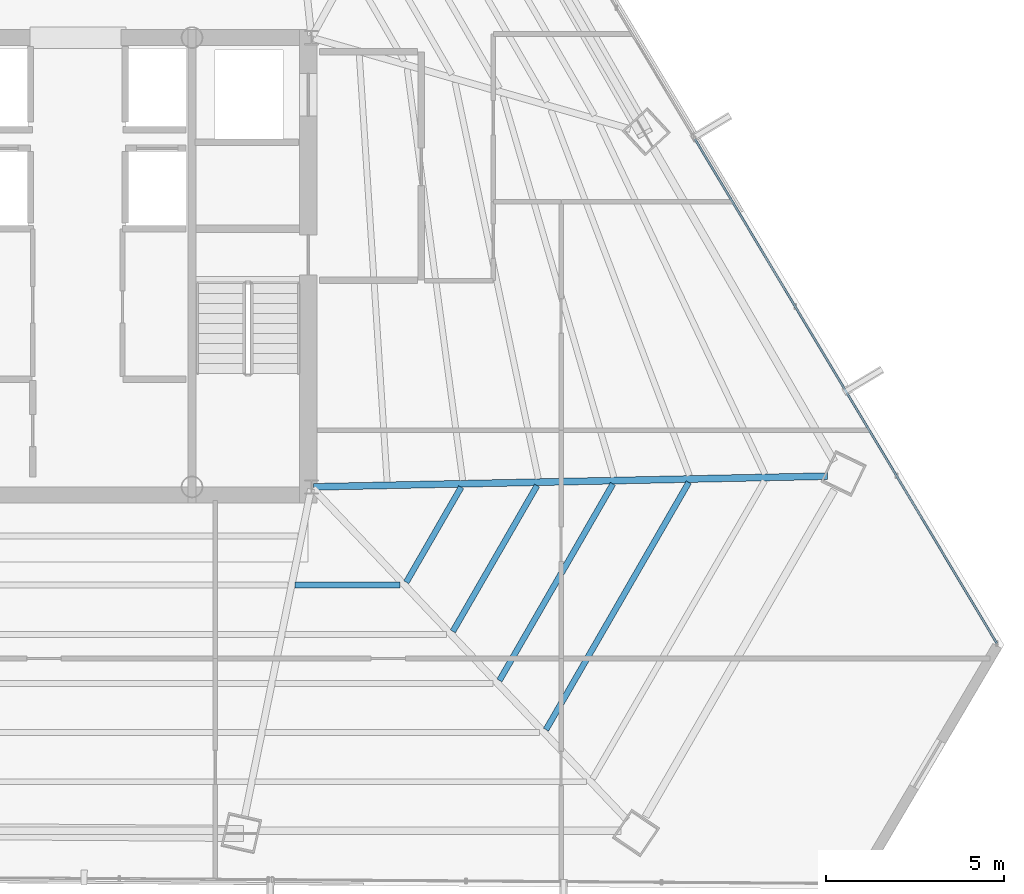
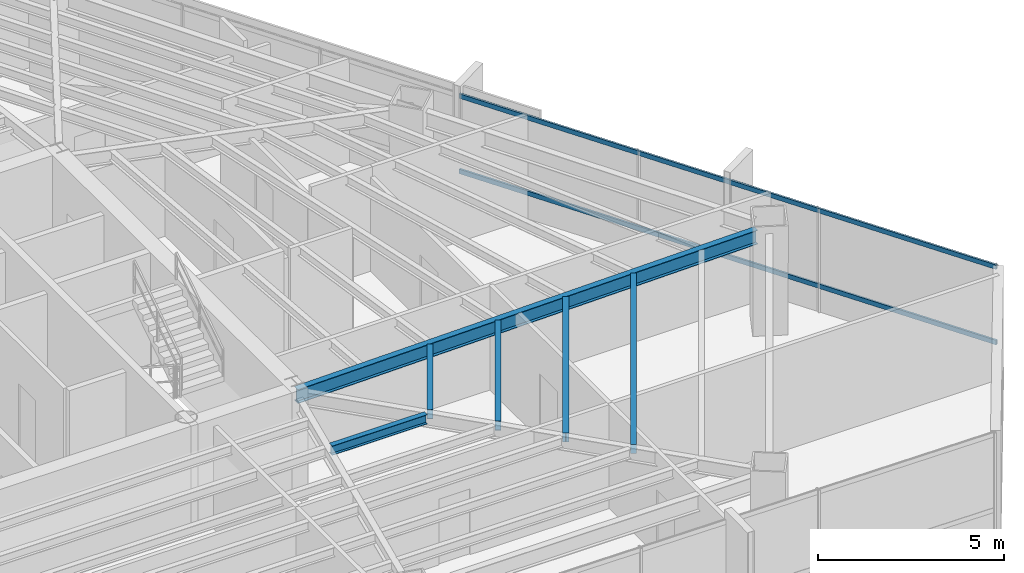
# One storey, part 20 of 41: 6 beams, 2 members, 1 element without a shape of its own.
"""IFC4 building model written with IfcOpenShell, lengths in metres."""

from ifc_helpers import new_model, si_unit, direction, frame, origin, origin_2d, place, context, subcontext, project, spatial, hollow_rectangle, i_section, extrude, source, transform, mapped, material, material_profile, profile_set, type_object, type_shapes, element, aggregate, save


model = new_model("IFC4")

# Units and contexts
model_context = context("Model", 3, precision=1e-05, world=origin(), true_north=direction((0.0, 1.0)))
body_context = subcontext(model_context, "Body", "Model", "MODEL_VIEW")
ifc_project = project(units=[si_unit("LENGTHUNIT", "METRE"), si_unit("AREAUNIT", "SQUARE_METRE"), si_unit("VOLUMEUNIT", "CUBIC_METRE"), si_unit("PLANEANGLEUNIT", "RADIAN"), si_unit("MASSUNIT", "GRAM", prefix="KILO")], contexts=[model_context])

# Site, building, storey
site_placement = place(None, origin())
site = spatial("IfcSite", under=ifc_project, at=site_placement, CompositionType="ELEMENT")
building_placement = place(site_placement, origin())
building = spatial("IfcBuilding", under=site, at=building_placement, Name="Caelisora Broadcast Tower", CompositionType="ELEMENT")
storey_placement = place(building_placement, frame((0.0, 0.0, 173.10009765625)))
storey = spatial("IfcBuildingStorey", under=building, at=storey_placement, Name="L45", CompositionType="ELEMENT", Elevation=173.10009765625)

# Beams
ifc_material_1 = material(Name="Steel Grade 350 (AS/NZS 3679.1)", Category="steel")
ifc_material_profile_1 = material_profile(ifc_material_1, i_section(OverallWidth=0.19091796875, OverallDepth=0.46044921875, WebThickness=0.010009765625, FlangeThickness=0.01611328125, at=origin_2d()), Name="Steel Grade 350 (AS/NZS 3679.1)")
ifc_profile_set_1 = profile_set([ifc_material_profile_1], Name="Steel Grade 350 (AS/NZS 3679.1)")
beam_type_1 = type_object("IfcBeamType", Name="PG06", PredefinedType="BEAM", material=ifc_profile_set_1)
shared_shape_1 = source(origin(), body_context, "Body", "SweptSolid", [
    extrude(i_section(OverallWidth=0.19091796875, OverallDepth=0.46044921875, WebThickness=0.010009765625, FlangeThickness=0.01611328125, at=origin_2d()), origin(), (0.0, 0.0, 1.0), 14.4130859375),
])
type_shapes(beam_type_1, [shared_shape_1])
beam_1_placement = place(storey_placement, frame((45.56005859375, 17.4013671875, 3.169677734375), z_axis=(0.999781871968, 0.020885604733, 0.0), x_axis=(-0.020885604733, 0.999781871968, 0.0)))
element("IfcBeam", 1, at=beam_1_placement, inside=storey, type_object=beam_type_1, Name="L45 beam PG06", PredefinedType="BEAM", context=body_context, shape_type="MappedRepresentation", body=[
    mapped(shared_shape_1, transform((0.0, 0.0, 0.0), scale=1.0)),
])
ifc_material_profile_2 = material_profile(ifc_material_1, i_section(OverallWidth=0.166015625, OverallDepth=0.30712890625, WebThickness=0.006591796875, FlangeThickness=0.01171875, at=origin_2d()), Name="Steel Grade 350 (AS/NZS 3679.1)")
ifc_profile_set_2 = profile_set([ifc_material_profile_2], Name="Steel Grade 350 (AS/NZS 3679.1)")
beam_type_2 = type_object("IfcBeamType", Name="SB03", PredefinedType="JOIST", material=ifc_profile_set_2)
shared_shape_2 = source(origin(), body_context, "Body", "SweptSolid", [
    extrude(i_section(OverallWidth=0.166015625, OverallDepth=0.30712890625, WebThickness=0.006591796875, FlangeThickness=0.01171875, at=origin_2d()), origin(), (0.0, 0.0, 1.0), 3.079833984375),
])
beam_2_placement = place(storey_placement, frame((48.159912109375, 14.727783203125, 3.246337890625), z_axis=(0.500026652407, 0.866010015463, 0.0), x_axis=(-0.866010015463, 0.500026652407, 0.0)))
element("IfcBeam", 2, at=beam_2_placement, inside=storey, type_object=beam_type_2, Name="L45 beam SB03", PredefinedType="JOIST", context=body_context, shape_type="MappedRepresentation", body=[
    mapped(shared_shape_2, transform((0.0, 0.0, 0.0), scale=1.0)),
])
shared_shape_3 = source(origin(), body_context, "Body", "SweptSolid", [
    extrude(i_section(OverallWidth=0.166015625, OverallDepth=0.30712890625, WebThickness=0.006591796875, FlangeThickness=0.01171875, at=origin_2d()), origin(), (0.0, 0.0, 1.0), 4.721923828125),
])
beam_3_placement = place(storey_placement, frame((49.4658203125, 13.349853515625, 3.246337890625), z_axis=(0.500014851123, 0.866016829315, 0.0), x_axis=(-0.866016829315, 0.500014851123, 0.0)))
element("IfcBeam", 3, at=beam_3_placement, inside=storey, type_object=beam_type_2, Name="L45 beam SB03", PredefinedType="JOIST", context=body_context, shape_type="MappedRepresentation", body=[
    mapped(shared_shape_3, transform((0.0, 0.0, 0.0), scale=1.0)),
])
shared_shape_4 = source(origin(), body_context, "Body", "SweptSolid", [
    extrude(i_section(OverallWidth=0.166015625, OverallDepth=0.30712890625, WebThickness=0.006591796875, FlangeThickness=0.01171875, at=origin_2d()), origin(), (0.0, 0.0, 1.0), 6.364990234375),
])
beam_4_placement = place(storey_placement, frame((50.771728515625, 11.9716796875, 3.246337890625), z_axis=(0.499988079127, 0.866032286194, 0.0), x_axis=(-0.866032286194, 0.499988079127, 0.0)))
element("IfcBeam", 4, at=beam_4_placement, inside=storey, type_object=beam_type_2, Name="L45 beam SB03", PredefinedType="JOIST", context=body_context, shape_type="MappedRepresentation", body=[
    mapped(shared_shape_4, transform((0.0, 0.0, 0.0), scale=1.0)),
])
shared_shape_5 = source(origin(), body_context, "Body", "SweptSolid", [
    extrude(i_section(OverallWidth=0.166015625, OverallDepth=0.30712890625, WebThickness=0.006591796875, FlangeThickness=0.01171875, at=origin_2d()), origin(), (0.0, 0.0, 1.0), 8.007080078125),
])
beam_5_placement = place(storey_placement, frame((52.07763671875, 10.593994140625, 3.246337890625), z_axis=(0.500011898161, 0.866018534269, 0.0), x_axis=(-0.866018534269, 0.500011898161, 0.0)))
element("IfcBeam", 5, at=beam_5_placement, inside=storey, type_object=beam_type_2, Name="L45 beam SB03", PredefinedType="JOIST", context=body_context, shape_type="MappedRepresentation", body=[
    mapped(shared_shape_5, transform((0.0, 0.0, 0.0), scale=1.0)),
])
shared_shape_6 = source(origin(), body_context, "Body", "SweptSolid", [
    extrude(i_section(OverallWidth=0.166015625, OverallDepth=0.30712890625, WebThickness=0.006591796875, FlangeThickness=0.01171875, at=origin_2d()), origin(), (0.0, 0.0, 1.0), 2.94677734375),
])
type_shapes(beam_type_2, [shared_shape_2, shared_shape_3, shared_shape_4, shared_shape_5, shared_shape_6])
beam_6_placement = place(storey_placement, frame((45.036376953125, 14.64404296875, 3.246337890625), z_axis=(1.0, 0.0, 0.0), x_axis=(0.0, 1.0, 0.0)))
element("IfcBeam", 6, at=beam_6_placement, inside=storey, type_object=beam_type_2, Name="L45 beam SB03", PredefinedType="JOIST", context=body_context, shape_type="MappedRepresentation", body=[
    mapped(shared_shape_6, transform((0.0, 0.0, 0.0), scale=1.0)),
])

# Curtain wall, members
ifc_material_2 = material(Name="Unitised Aluminium and Low-E Glass Curtain Wall", Category="glass")
curtain_wall_type = type_object("IfcCurtainWallType", Name="CW-Z3", PredefinedType="NOTDEFINED", material=ifc_material_2)
curtain_wall_placement = place(storey_placement, origin())
curtain_wall = element("IfcCurtainWall", 7, at=curtain_wall_placement, inside=storey, type_object=curtain_wall_type, Name="L45 curtain wall CW-Z3", PredefinedType="NOTDEFINED")
ifc_material_3 = material(Name="Aluminium 6063-T6 Anodised Terracotta Bronze", Category="aluminium")
ifc_material_profile_3 = material_profile(ifc_material_3, hollow_rectangle(XDim=0.06005859375, YDim=0.14990234375, WallThickness=0.00341796875, at=origin_2d()), Name="Aluminium 6063-T6 Anodised Terracotta Bronze")
ifc_profile_set_3 = profile_set([ifc_material_profile_3], Name="Aluminium 6063-T6 Anodised Terracotta Bronze")
member_type = type_object("IfcMemberType", Name="CWT-02", PredefinedType="USERDEFINED", material=ifc_profile_set_3)
shared_shape_7 = source(origin(), body_context, "Body", "SweptSolid", [
    extrude(hollow_rectangle(XDim=0.06005859375, YDim=0.14990234375, WallThickness=0.00341796875, at=origin_2d()), origin(), (0.0, 0.0, 1.0), 16.48486328125),
])
type_shapes(member_type, [shared_shape_7])
member_1_placement = place(storey_placement, frame((56.252685546875, 27.1552734375, 0.849853515625), z_axis=(0.513715837718, -0.857960394236, 0.0), x_axis=(0.857960394236, 0.513715837718, 0.0)))
member_1 = element("IfcMember", 8, at=member_1_placement, type_object=member_type, Name="L45-CW-B03 transom #1", ObjectType="TRANSOM", PredefinedType="USERDEFINED", context=body_context, shape_type="MappedRepresentation", body=[
    mapped(shared_shape_7, transform((0.0, 0.0, 0.0), scale=1.0)),
])
member_2_placement = place(storey_placement, frame((56.252685546875, 27.1552734375, 3.31982421875), z_axis=(0.513715837718, -0.857960394236, 0.0), x_axis=(0.857960394236, 0.513715837718, 0.0)))
member_2 = element("IfcMember", 9, at=member_2_placement, type_object=member_type, Name="L45-CW-B03 transom #2", ObjectType="TRANSOM", PredefinedType="USERDEFINED", context=body_context, shape_type="MappedRepresentation", body=[
    mapped(shared_shape_7, transform((0.0, 0.0, 0.0), scale=1.0)),
])
aggregate(curtain_wall, [member_1, member_2])

save(model, "model.ifc")
